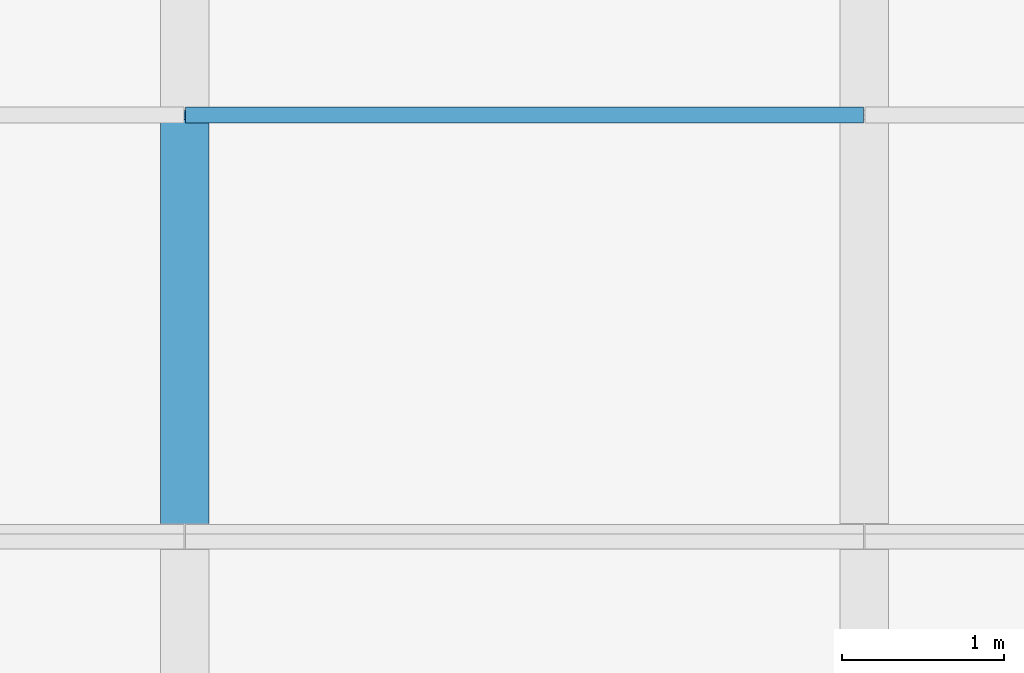
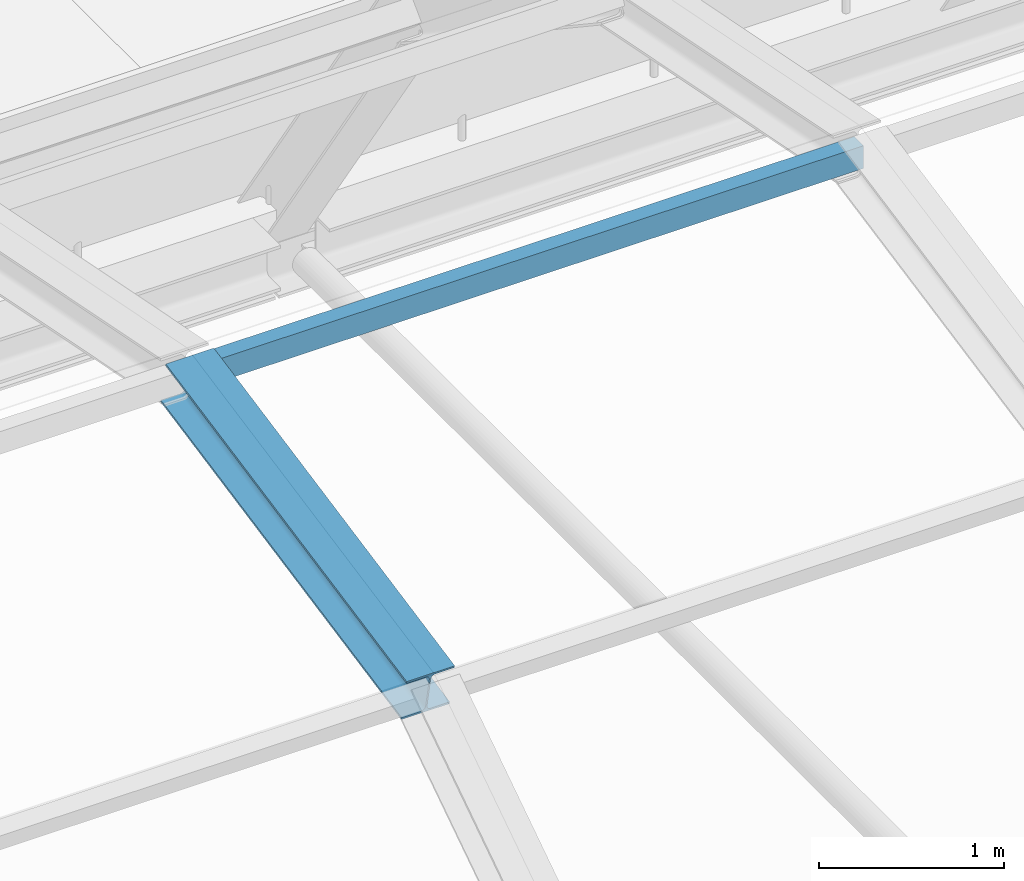
# One storey, part 13 of 58: 2 members.
"""IFC4 building model written with IfcOpenShell, lengths in metres."""

import ifcopenshell
import ifcopenshell.guid

model = None  # the IFC model being written
_history = None  # IfcOwnerHistory: only IFC2X3 demands one
_inside = {}  # id of a spatial element -> (the spatial element, [elements in it])
_under = {}  # id of a project, library or spatial element -> (it, [spatial elements below it])
_declared = {}  # id of a project -> (the project, [libraries it declares])
_typed = {}  # id of a type object -> (the type object, [elements of that type])
_made_of = {}  # id of a material, layer set ... -> (it, [elements and type objects made of it])


def new_model(schema):
    """Start an empty IFC model of exactly this schema.

    Asked for "IFC4X3", IfcOpenShell would pick the latest addendum, in which some entities
    have other attributes; the version numbers below select the first issue.
    IFC2X3 requires an IfcOwnerHistory on every rooted entity: one is made here for all.
    """
    global model, _history
    if schema == "IFC4X3":
        model = ifcopenshell.file(schema_version=(4, 3, 0, 0))
    else:
        model = ifcopenshell.file(schema=schema)
    _inside.clear()
    _under.clear()
    _declared.clear()
    _typed.clear()
    _made_of.clear()
    _history = None
    if model.schema == "IFC2X3":
        org = make("IfcOrganization", Name="unknown")
        user = make(
            "IfcPersonAndOrganization",
            ThePerson=make("IfcPerson", FamilyName="unknown"),
            TheOrganization=org,
        )
        app = make(
            "IfcApplication",
            ApplicationDeveloper=org,
            Version="unknown",
            ApplicationFullName="unknown",
            ApplicationIdentifier="unknown",
        )
        _history = make(
            "IfcOwnerHistory",
            OwningUser=user,
            OwningApplication=app,
            ChangeAction="ADDED",
            CreationDate=0,
        )
    return model


def make(cls, **values):
    """One entity of the class cls with the attributes given. An attribute that is None is left unset."""
    return model.create_entity(
        cls, **{name: value for name, value in values.items() if value is not None}
    )


def rooted(cls, **values):
    """An entity with a GlobalId (a new one), such as an element, a storey or a relation."""
    return make(cls, GlobalId=ifcopenshell.guid.new(), OwnerHistory=_history, **values)


def si_unit(unit_type, name, prefix=None):
    """IfcSIUnit, for example si_unit("LENGTHUNIT", "METRE", prefix="MILLI")."""
    return make("IfcSIUnit", UnitType=unit_type, Prefix=prefix, Name=name)


def assignment(units):
    """IfcUnitAssignment: the units of a project."""
    return None if units is None else make("IfcUnitAssignment", Units=units)


def point(xyz):
    """IfcCartesianPoint."""
    return None if xyz is None else make("IfcCartesianPoint", Coordinates=xyz)


def direction(xyz):
    """IfcDirection."""
    return None if xyz is None else make("IfcDirection", DirectionRatios=xyz)


def frame(location, z_axis=None, x_axis=None):
    """IfcAxis2Placement3D, a coordinate frame: its origin and axes. An axis left out is left unset."""
    return make(
        "IfcAxis2Placement3D",
        Location=point(location),
        Axis=direction(z_axis),
        RefDirection=direction(x_axis),
    )


def frame_2d(location, x_axis=None):
    """IfcAxis2Placement2D, a coordinate frame in the plane: its origin and x axis."""
    return make(
        "IfcAxis2Placement2D", Location=point(location), RefDirection=direction(x_axis)
    )


def origin():
    """The frame at (0, 0, 0) with its axes left unset."""
    return frame((0.0, 0.0, 0.0))


def origin_2d():
    """The frame at (0, 0) in the plane with its x axis left unset."""
    return frame_2d((0.0, 0.0))


def place(relative_to, where):
    """IfcLocalPlacement: puts the frame where relative to a parent placement (None: the world)."""
    return make(
        "IfcLocalPlacement", PlacementRelTo=relative_to, RelativePlacement=where
    )


def context(
    kind, dimensions, precision=None, world=None, true_north=None, identifier=None
):
    """IfcGeometricRepresentationContext, for example the 3D "Model" context."""
    return make(
        "IfcGeometricRepresentationContext",
        ContextIdentifier=identifier,
        ContextType=kind,
        CoordinateSpaceDimension=dimensions,
        Precision=precision,
        WorldCoordinateSystem=world,
        TrueNorth=true_north,
    )


def subcontext(parent, identifier, kind, view, scale=None):
    """IfcGeometricRepresentationSubContext, for example "Body" below "Model"."""
    return make(
        "IfcGeometricRepresentationSubContext",
        ContextIdentifier=identifier,
        ContextType=kind,
        ParentContext=parent,
        TargetScale=scale,
        TargetView=view,
    )


def project(units=None, contexts=None):
    """IfcProject with its units and contexts."""
    return rooted(
        "IfcProject",
        Name="project",
        RepresentationContexts=contexts,
        UnitsInContext=assignment(units),
    )


def spatial(cls, under=None, at=None, **own):
    """A site, building, storey or space (cls), placed at a placement, below another one or the project."""
    s = rooted(cls, ObjectPlacement=at, **own)
    if under is not None:
        _under.setdefault(under.id(), (under, []))[1].append(s)
    return s


def profile(cls, at=None, kind="AREA", **sizes):
    """A parametric profile (cls). Its sizes go by their IFC names, for example OverallWidth=200.0."""
    return make(cls, ProfileType=kind, Position=at, **sizes)


def hollow_rectangle(**sizes):
    """IfcRectangleHollowProfileDef."""
    return profile("IfcRectangleHollowProfileDef", **sizes)


def i_section(**sizes):
    """IfcIShapeProfileDef."""
    return profile("IfcIShapeProfileDef", **sizes)


def extrude(swept, where, along, depth):
    """IfcExtrudedAreaSolid: the profile swept, set in the frame where, extruded along a direction by depth."""
    return make(
        "IfcExtrudedAreaSolid",
        SweptArea=swept,
        Position=where,
        ExtrudedDirection=direction(along),
        Depth=depth,
    )


def shape(context_of_items, identifier, shape_type, items):
    """IfcShapeRepresentation: the items that make up one representation, for example the "Body"."""
    return make(
        "IfcShapeRepresentation",
        ContextOfItems=context_of_items,
        RepresentationIdentifier=identifier,
        RepresentationType=shape_type,
        Items=items,
    )


def material(Name=None, Category=None):
    """IfcMaterial."""
    return make("IfcMaterial", Name=Name, Category=Category)


def material_profile(
    of_material, cross_section, Name=None, Category=None, Priority=None
):
    """IfcMaterialProfile: a cross section and its material."""
    return make(
        "IfcMaterialProfile",
        Name=Name,
        Material=of_material,
        Profile=cross_section,
        Priority=Priority,
        Category=Category,
    )


def profile_set(profiles, Name=None, composite=None):
    """IfcMaterialProfileSet."""
    return make(
        "IfcMaterialProfileSet",
        Name=Name,
        MaterialProfiles=profiles,
        CompositeProfile=composite,
    )


def made_of(thing, what):
    """Note that an element or type object is made of a material, layer set ...; save() writes the relation."""
    if what is not None:
        _made_of.setdefault(what.id(), (what, []))[1].append(thing)
    return thing


def type_object(cls, material=None, **own):
    """A type object (cls), such as IfcWallType, which elements share."""
    return made_of(rooted(cls, **own), material)


def element(
    cls,
    number,
    at=None,
    inside=None,
    cuts=None,
    type_object=None,
    material=None,
    context=None,
    identifier="Body",
    shape_type=None,
    held_by="IfcProductDefinitionShape",
    body=None,
    shapes=None,
    **own,
):
    """One element of the class cls, such as IfcWall. Its Tag is "e" and its number.

    at: its placement. inside: the storey or other place that contains it. cuts: it is an
    opening in that element (IfcRelVoidsElement). A single representation is given by context,
    identifier, shape_type and body (its items); several are given by shapes. held_by: the class
    of the entity that holds the representations. save() writes the other relations.
    """
    e = rooted(cls, Tag="e%d" % number, ObjectPlacement=at, **own)
    if body is not None:
        shapes = [shape(context, identifier, shape_type, body)]
    if shapes is not None:
        e.Representation = make(held_by, Representations=shapes)
    if inside is not None:
        _inside.setdefault(inside.id(), (inside, []))[1].append(e)
    if cuts is not None:
        rooted(
            "IfcRelVoidsElement", RelatingBuildingElement=cuts, RelatedOpeningElement=e
        )
    if type_object is not None:
        _typed.setdefault(type_object.id(), (type_object, []))[1].append(e)
    return made_of(e, material)


def aggregate(whole, parts):
    """IfcRelAggregates: a whole, such as a stair, and the parts it consists of."""
    return rooted("IfcRelAggregates", RelatingObject=whole, RelatedObjects=parts)


def save(model, path):
    """Write the relations noted so far, then the file.

    IfcRelAggregates (storeys below a building ...), IfcRelContainedInSpatialStructure (elements
    in a storey), IfcRelDefinesByType, IfcRelAssociatesMaterial and IfcRelDeclares: one each for
    every whole, place, type object, material and project.
    """
    for whole, parts in _under.values():
        aggregate(whole, parts)
    for where, things in _inside.values():
        rooted(
            "IfcRelContainedInSpatialStructure",
            RelatedElements=things,
            RelatingStructure=where,
        )
    for kind, things in _typed.values():
        rooted("IfcRelDefinesByType", RelatedObjects=things, RelatingType=kind)
    for what, things in _made_of.values():
        rooted("IfcRelAssociatesMaterial", RelatedObjects=things, RelatingMaterial=what)
    for by, libraries in _declared.values():
        rooted("IfcRelDeclares", RelatingContext=by, RelatedDefinitions=libraries)
    model.write(path)


model = new_model("IFC4")

# Units and contexts
model_context = context("Model", 3, precision=1e-05, world=origin(), true_north=direction((0.0, 1.0)))
body_context = subcontext(model_context, "Body", "Model", "MODEL_VIEW")
ifc_project = project(units=[si_unit("LENGTHUNIT", "METRE"), si_unit("AREAUNIT", "SQUARE_METRE"), si_unit("VOLUMEUNIT", "CUBIC_METRE"), si_unit("PLANEANGLEUNIT", "RADIAN"), si_unit("MASSUNIT", "GRAM", prefix="KILO")], contexts=[model_context])

# Site, building, storey
site_placement = place(None, origin())
site = spatial("IfcSite", under=ifc_project, at=site_placement, CompositionType="ELEMENT")
building_placement = place(site_placement, origin())
building = spatial("IfcBuilding", under=site, at=building_placement, Name="Galleria Vessillo Department Store", CompositionType="ELEMENT")
storey_placement = place(building_placement, frame((0.0, 0.0, 31.199951171875)))
storey = spatial("IfcBuildingStorey", under=building, at=storey_placement, Name="L06", CompositionType="ELEMENT", Elevation=31.199951171875)

# Members
ifc_material_1 = material(Name="Steel S355 J2", Category="steel")
ifc_material_profile_1 = material_profile(ifc_material_1, hollow_rectangle(XDim=0.10009765625, YDim=0.14990234375, WallThickness=0.008056640625, at=origin_2d()), Name="RHS 150x100x8")
ifc_profile_set_1 = profile_set([ifc_material_profile_1], Name="Steel S355 J2")
member_type_1 = type_object("IfcMemberType", Name="Vault purlin RHS 150x100x8", PredefinedType="PURLIN", material=ifc_profile_set_1)
member_1_placement = place(storey_placement, frame((29.404052734375, 31.5, 4.199951171875), z_axis=(1.0, 0.0, 0.0), x_axis=(0.0, 1.0, 0.0)))
element("IfcMember", 1, at=member_1_placement, inside=storey, type_object=member_type_1, Name="S-VP-3-04", PredefinedType="PURLIN", context=body_context, shape_type="SweptSolid", body=[
    extrude(hollow_rectangle(XDim=0.10009765625, YDim=0.14990234375, WallThickness=0.008056640625, at=origin_2d()), origin(), (0.0, 0.0, 1.0), 4.19189453125),
])
ifc_material_2 = material(Name="Steel S355 J2", Category="steel")
ifc_material_profile_2 = material_profile(ifc_material_2, i_section(OverallWidth=0.300048828125, OverallDepth=0.2900390625, WebThickness=0.008544921875, FlangeThickness=0.013916015625, FilletRadius=0.027099609375, at=origin_2d()), Name="HEA 300")
ifc_profile_set_2 = profile_set([ifc_material_profile_2], Name="Steel S355 J2")
member_type_2 = type_object("IfcMemberType", Name="Vault rib HEA 300", PredefinedType="RAFTER", material=ifc_profile_set_2)
member_2_placement = place(storey_placement, frame((29.39990234375, 28.892578125, 3.682373046875), z_axis=(0.0, 0.980862245521, 0.194702992557), x_axis=(-1.0, 0.0, 0.0)))
element("IfcMember", 2, at=member_2_placement, inside=storey, type_object=member_type_2, Name="S-VR-04-3", PredefinedType="RAFTER", context=body_context, shape_type="SweptSolid", body=[
    extrude(i_section(OverallWidth=0.300048828125, OverallDepth=0.2900390625, WebThickness=0.008544921875, FlangeThickness=0.013916015625, FilletRadius=0.027099609375, at=origin_2d()), origin(), (0.0, 0.0, 1.0), 2.658203125),
])

save(model, "model.ifc")
